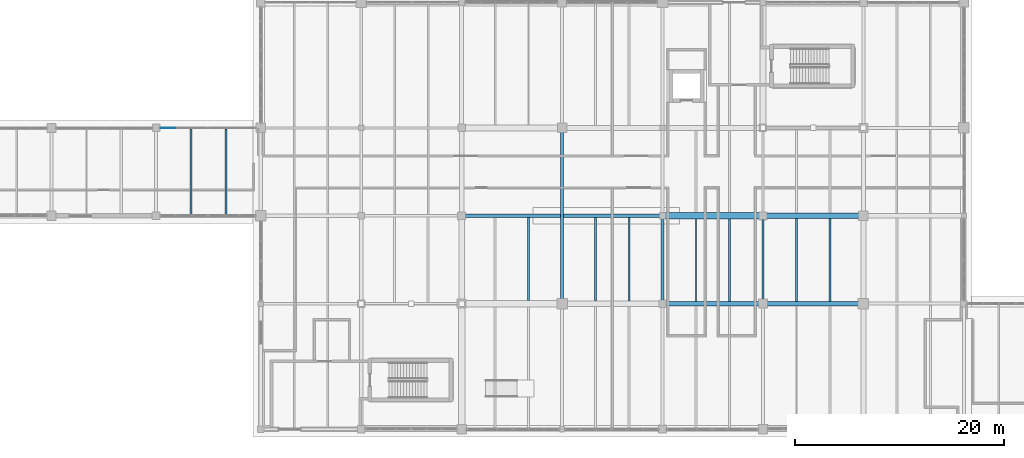
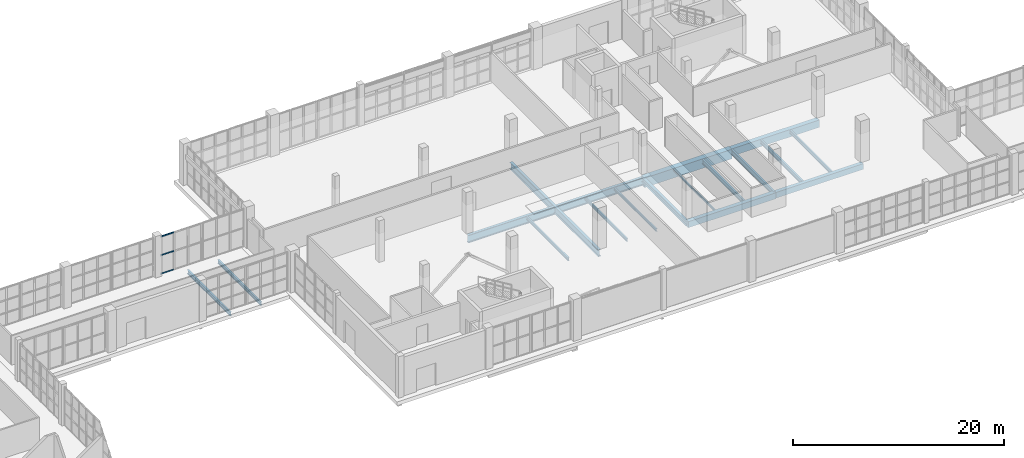
# One storey, part 21 of 121: 17 beams, 3 members, 1 element without a shape of its own.
"""IFC4 building model written with IfcOpenShell, lengths in metres."""

from ifc_helpers import new_model, si_unit, direction, frame, origin, origin_2d, place, context, subcontext, project, spatial, rectangle, i_section, extrude, material, layer, layer_set, material_profile, profile_set, type_object, element, aggregate, save


model = new_model("IFC4")

# Units and contexts
model_context = context("Model", 3, precision=1e-05, world=origin(), true_north=direction((0.0, 1.0)))
body_context = subcontext(model_context, "Body", "Model", "MODEL_VIEW")
ifc_project = project(units=[si_unit("LENGTHUNIT", "METRE"), si_unit("AREAUNIT", "SQUARE_METRE"), si_unit("VOLUMEUNIT", "CUBIC_METRE"), si_unit("PLANEANGLEUNIT", "RADIAN"), si_unit("MASSUNIT", "GRAM", prefix="KILO")], contexts=[model_context])

# Site, building, storey
site_placement = place(None, origin())
site = spatial("IfcSite", under=ifc_project, at=site_placement, CompositionType="ELEMENT")
building_placement = place(site_placement, origin())
building = spatial("IfcBuilding", under=site, at=building_placement, Name="Zereglee Splitstone Museum", CompositionType="ELEMENT")
storey_placement = place(building_placement, origin())
storey = spatial("IfcBuildingStorey", under=building, at=storey_placement, Name="L00", CompositionType="ELEMENT", Elevation=0.0)

# Beams
ifc_material_1 = material(Name="Concrete C40/50", Category="concrete")
ifc_material_profile_1 = material_profile(ifc_material_1, rectangle(XDim=0.39990234375, YDim=0.64990234375, at=origin_2d()), Name="RC 400x650")
ifc_profile_set_1 = profile_set([ifc_material_profile_1], Name="Concrete C40/50")
beam_type_1 = type_object("IfcBeamType", Name="BG-04", PredefinedType="BEAM", material=ifc_profile_set_1)
beam_1_placement = place(storey_placement, frame((126.0, 21.60009765625, -0.7451171875), z_axis=(1.0, 0.0, 0.0), x_axis=(0.0, 1.0, 0.0)))
element("IfcBeam", 1, at=beam_1_placement, inside=storey, type_object=beam_type_1, Name="Primary Girder L00 C (126.0-135.6)", PredefinedType="BEAM", context=body_context, shape_type="SweptSolid", body=[
    extrude(rectangle(XDim=0.39990234375, YDim=0.64990234375, at=origin_2d()), origin(), (0.0, 0.0, 1.0), 9.60009765625),
])
ifc_material_profile_2 = material_profile(ifc_material_1, rectangle(XDim=0.449951171875, YDim=0.699951171875, at=origin_2d()), Name="RC 450x700")
ifc_profile_set_2 = profile_set([ifc_material_profile_2], Name="Concrete C40/50")
beam_type_2 = type_object("IfcBeamType", Name="BG-03", PredefinedType="BEAM", material=ifc_profile_set_2)
beam_2_placement = place(storey_placement, frame((116.39990234375, 21.60009765625, -0.77001953125), z_axis=(1.0, 0.0, 0.0), x_axis=(0.0, 1.0, 0.0)))
element("IfcBeam", 2, at=beam_2_placement, inside=storey, type_object=beam_type_2, Name="Primary Girder L00 C (116.4-126.0)", PredefinedType="BEAM", context=body_context, shape_type="SweptSolid", body=[
    extrude(rectangle(XDim=0.449951171875, YDim=0.699951171875, at=origin_2d()), origin(), (0.0, 0.0, 1.0), 9.60009765625),
])
ifc_material_profile_3 = material_profile(ifc_material_1, rectangle(XDim=0.5, YDim=0.85009765625, at=origin_2d()), Name="RC 500x850")
ifc_profile_set_3 = profile_set([ifc_material_profile_3], Name="Concrete C40/50")
beam_type_3 = type_object("IfcBeamType", Name="BG-02", PredefinedType="BEAM", material=ifc_profile_set_3)
beam_3_placement = place(storey_placement, frame((126.0, 30.0, -0.844970703125), z_axis=(1.0, 0.0, 0.0), x_axis=(0.0, 1.0, 0.0)))
element("IfcBeam", 3, at=beam_3_placement, inside=storey, type_object=beam_type_3, Name="Primary Girder L00 D (126.0-135.6)", PredefinedType="BEAM", context=body_context, shape_type="SweptSolid", body=[
    extrude(rectangle(XDim=0.5, YDim=0.85009765625, at=origin_2d()), origin(), (0.0, 0.0, 1.0), 9.60009765625),
])
ifc_material_profile_4 = material_profile(ifc_material_1, rectangle(XDim=0.60009765625, YDim=1.10009765625, at=origin_2d()), Name="RC 600x1100")
ifc_profile_set_4 = profile_set([ifc_material_profile_4], Name="Concrete C40/50")
beam_type_4 = type_object("IfcBeamType", Name="BG-01", PredefinedType="BEAM", material=ifc_profile_set_4)
beam_4_placement = place(storey_placement, frame((116.39990234375, 30.0, -0.969970703125), z_axis=(1.0, 0.0, 0.0), x_axis=(0.0, 1.0, 0.0)))
element("IfcBeam", 4, at=beam_4_placement, inside=storey, type_object=beam_type_4, Name="Primary Girder L00 D (116.4-126.0)", PredefinedType="BEAM", context=body_context, shape_type="SweptSolid", body=[
    extrude(rectangle(XDim=0.60009765625, YDim=1.10009765625, at=origin_2d()), origin(), (0.0, 0.0, 1.0), 9.60009765625),
])

# Curtain wall, members
ifc_material_2 = material(Name="Triple-glazed low-E argon glass and bronze-anodised aluminium", Category="aluminium")
ifc_layer = layer(ifc_material_2, 0.179931640625)
ifc_layer_set = layer_set([ifc_layer], Name="Triple-glazed low-E argon glass and bronze-anodised aluminium")
curtain_wall_type = type_object("IfcCurtainWallType", Name="CW-0455-436", PredefinedType="USERDEFINED", material=ifc_layer_set)
curtain_wall_placement = place(storey_placement, origin())
curtain_wall = element("IfcCurtainWall", 5, at=curtain_wall_placement, inside=storey, type_object=curtain_wall_type, Name="Glazed Curtain Wall CW-0455-436 (L00)", ObjectType="GLAZED CURTAIN WALL", PredefinedType="USERDEFINED")
ifc_material_3 = material(Name="Thermally broken bronze-anodised aluminium", Category="aluminium")
ifc_material_profile_5 = material_profile(ifc_material_3, rectangle(XDim=0.06494140625, YDim=0.139892578125, at=origin_2d()), Name="CW TRAN 65x140")
ifc_profile_set_5 = profile_set([ifc_material_profile_5], Name="Thermally broken bronze-anodised aluminium")
member_type = type_object("IfcMemberType", Name="CWT-01", PredefinedType="USERDEFINED", material=ifc_profile_set_5)
member_1_placement = place(storey_placement, frame((69.8427734375, 38.39990234375, 0.032470703125), z_axis=(-1.0, 0.0, 0.0), x_axis=(0.0, -1.0, 0.0)))
member_1 = element("IfcMember", 6, at=member_1_placement, type_object=member_type, Name="CW-0455-436 transom 3.1", ObjectType="TRANSOM", PredefinedType="USERDEFINED", context=body_context, shape_type="SweptSolid", body=[
    extrude(rectangle(XDim=0.06494140625, YDim=0.139892578125, at=origin_2d()), origin(), (0.0, 0.0, 1.0), 1.419677734375),
])
member_2_placement = place(storey_placement, frame((69.8427734375, 38.39990234375, 2.179931640625), z_axis=(-1.0, 0.0, 0.0), x_axis=(0.0, -1.0, 0.0)))
member_2 = element("IfcMember", 7, at=member_2_placement, type_object=member_type, Name="CW-0455-436 transom 3.2", ObjectType="TRANSOM", PredefinedType="USERDEFINED", context=body_context, shape_type="SweptSolid", body=[
    extrude(rectangle(XDim=0.06494140625, YDim=0.139892578125, at=origin_2d()), origin(), (0.0, 0.0, 1.0), 1.419677734375),
])
member_3_placement = place(storey_placement, frame((69.8427734375, 38.39990234375, 4.327392578125), z_axis=(-1.0, 0.0, 0.0), x_axis=(0.0, -1.0, 0.0)))
member_3 = element("IfcMember", 8, at=member_3_placement, type_object=member_type, Name="CW-0455-436 transom 3.3", ObjectType="TRANSOM", PredefinedType="USERDEFINED", context=body_context, shape_type="SweptSolid", body=[
    extrude(rectangle(XDim=0.06494140625, YDim=0.139892578125, at=origin_2d()), origin(), (0.0, 0.0, 1.0), 1.419677734375),
])
aggregate(curtain_wall, [member_1, member_2, member_3])

# Beams
ifc_material_4 = material(Name="Steel S355J2", Category="steel")
ifc_material_profile_6 = material_profile(ifc_material_4, i_section(OverallWidth=0.300048828125, OverallDepth=0.550048828125, WebThickness=0.014892578125, FlangeThickness=0.029052734375, FilletRadius=0.027099609375, at=origin_2d()), Name="HE 550 B")
ifc_profile_set_6 = profile_set([ifc_material_profile_6], Name="Steel S355J2")
beam_type_5 = type_object("IfcBeamType", Name="BG-11", PredefinedType="BEAM", material=ifc_profile_set_6)
beam_5_placement = place(storey_placement, frame((116.39990234375, 21.60009765625, -0.695068359375), z_axis=(0.0, 1.0, 0.0), x_axis=(-1.0, 0.0, 0.0)))
element("IfcBeam", 9, at=beam_5_placement, inside=storey, type_object=beam_type_5, Name="Primary Girder L00 14 (21.6-30.0)", PredefinedType="BEAM", context=body_context, shape_type="SweptSolid", body=[
    extrude(i_section(OverallWidth=0.300048828125, OverallDepth=0.550048828125, WebThickness=0.014892578125, FlangeThickness=0.029052734375, FilletRadius=0.027099609375, at=origin_2d()), origin(), (0.0, 0.0, 1.0), 8.39990234375),
])
ifc_material_profile_7 = material_profile(ifc_material_4, i_section(OverallWidth=0.300048828125, OverallDepth=0.800048828125, WebThickness=0.017578125, FlangeThickness=0.032958984375, FilletRadius=0.030029296875, at=origin_2d()), Name="HE 800 B")
ifc_profile_set_7 = profile_set([ifc_material_profile_7], Name="Steel S355J2")
beam_type_6 = type_object("IfcBeamType", Name="BG-07", PredefinedType="BEAM", material=ifc_profile_set_7)
beam_6_placement = place(storey_placement, frame((106.800048828125, 21.60009765625, -0.820068359375), z_axis=(0.0, 1.0, 0.0), x_axis=(-1.0, 0.0, 0.0)))
element("IfcBeam", 10, at=beam_6_placement, inside=storey, type_object=beam_type_6, Name="Primary Girder L00 13 (21.6-38.4)", PredefinedType="BEAM", context=body_context, shape_type="SweptSolid", body=[
    extrude(i_section(OverallWidth=0.300048828125, OverallDepth=0.800048828125, WebThickness=0.017578125, FlangeThickness=0.032958984375, FilletRadius=0.030029296875, at=origin_2d()), origin(), (0.0, 0.0, 1.0), 16.7998046875),
])
ifc_material_profile_8 = material_profile(ifc_material_4, i_section(OverallWidth=0.300048828125, OverallDepth=0.89990234375, WebThickness=0.0185546875, FlangeThickness=0.034912109375, FilletRadius=0.030029296875, at=origin_2d()), Name="HE 900 B")
ifc_profile_set_8 = profile_set([ifc_material_profile_8], Name="Steel S355J2")
beam_type_7 = type_object("IfcBeamType", Name="BG-06", PredefinedType="BEAM", material=ifc_profile_set_8)
beam_7_placement = place(storey_placement, frame((97.199951171875, 30.0, -0.8701171875), z_axis=(1.0, 0.0, 0.0), x_axis=(0.0, 1.0, 0.0)))
element("IfcBeam", 11, at=beam_7_placement, inside=storey, type_object=beam_type_7, Name="Primary Girder L00 D (97.2-116.4)", PredefinedType="BEAM", context=body_context, shape_type="SweptSolid", body=[
    extrude(i_section(OverallWidth=0.300048828125, OverallDepth=0.89990234375, WebThickness=0.0185546875, FlangeThickness=0.034912109375, FilletRadius=0.030029296875, at=origin_2d()), origin(), (0.0, 0.0, 1.0), 19.199951171875),
])
ifc_material_profile_9 = material_profile(ifc_material_4, i_section(OverallWidth=0.2099609375, OverallDepth=0.550048828125, WebThickness=0.010986328125, FlangeThickness=0.01708984375, FilletRadius=0.02392578125, at=origin_2d()), Name="IPE 550")
ifc_profile_set_9 = profile_set([ifc_material_profile_9], Name="Steel S355J2")
beam_type_8 = type_object("IfcBeamType", Name="BG-16", PredefinedType="BEAM", material=ifc_profile_set_9)
beam_8_placement = place(storey_placement, frame((126.0, 21.60009765625, -0.695068359375), z_axis=(0.0, 1.0, 0.0), x_axis=(-1.0, 0.0, 0.0)))
element("IfcBeam", 12, at=beam_8_placement, inside=storey, type_object=beam_type_8, Name="Primary Girder L00 15 (21.6-30.0)", PredefinedType="BEAM", context=body_context, shape_type="SweptSolid", body=[
    extrude(i_section(OverallWidth=0.2099609375, OverallDepth=0.550048828125, WebThickness=0.010986328125, FlangeThickness=0.01708984375, FilletRadius=0.02392578125, at=origin_2d()), origin(), (0.0, 0.0, 1.0), 8.39990234375),
])
ifc_material_profile_10 = material_profile(ifc_material_4, i_section(OverallWidth=0.1201171875, OverallDepth=0.239990234375, WebThickness=0.006103515625, FlangeThickness=0.009765625, FilletRadius=0.014892578125, at=origin_2d()), Name="IPE 240")
ifc_profile_set_10 = profile_set([ifc_material_profile_10], Name="Steel S355J2")
beam_type_9 = type_object("IfcBeamType", Name="BJ-07", PredefinedType="JOIST", material=ifc_profile_set_10)
beam_9_placement = place(storey_placement, frame((119.60009765625, 21.824951171875, -0.5400390625), z_axis=(0.0, 1.0, 0.0), x_axis=(-1.0, 0.0, 0.0)))
element("IfcBeam", 13, at=beam_9_placement, inside=storey, type_object=beam_type_9, Name="Secondary Floor Joist L00-0321", PredefinedType="JOIST", context=body_context, shape_type="SweptSolid", body=[
    extrude(i_section(OverallWidth=0.1201171875, OverallDepth=0.239990234375, WebThickness=0.006103515625, FlangeThickness=0.009765625, FilletRadius=0.014892578125, at=origin_2d()), origin(), (0.0, 0.0, 1.0), 7.875),
])
ifc_material_profile_11 = material_profile(ifc_material_4, i_section(OverallWidth=0.14990234375, OverallDepth=0.300048828125, WebThickness=0.007080078125, FlangeThickness=0.0107421875, FilletRadius=0.014892578125, at=origin_2d()), Name="IPE 300")
ifc_profile_set_11 = profile_set([ifc_material_profile_11], Name="Steel S355J2")
beam_type_10 = type_object("IfcBeamType", Name="BJ-06", PredefinedType="JOIST", material=ifc_profile_set_11)
beam_10_placement = place(storey_placement, frame((113.199951171875, 21.85009765625, -0.570068359375), z_axis=(0.0, 1.0, 0.0), x_axis=(-1.0, 0.0, 0.0)))
element("IfcBeam", 14, at=beam_10_placement, inside=storey, type_object=beam_type_10, Name="Secondary Floor Joist L00-0320", PredefinedType="JOIST", context=body_context, shape_type="SweptSolid", body=[
    extrude(i_section(OverallWidth=0.14990234375, OverallDepth=0.300048828125, WebThickness=0.007080078125, FlangeThickness=0.0107421875, FilletRadius=0.014892578125, at=origin_2d()), origin(), (0.0, 0.0, 1.0), 8.0),
])
ifc_material_profile_12 = material_profile(ifc_material_4, i_section(OverallWidth=0.159912109375, OverallDepth=0.330078125, WebThickness=0.007568359375, FlangeThickness=0.011474609375, FilletRadius=0.01806640625, at=origin_2d()), Name="IPE 330")
ifc_profile_set_12 = profile_set([ifc_material_profile_12], Name="Steel S355J2")
beam_type_11 = type_object("IfcBeamType", Name="BJ-05", PredefinedType="JOIST", material=ifc_profile_set_12)
beam_11_placement = place(storey_placement, frame((110.0, 21.85009765625, -0.5849609375), z_axis=(0.0, 1.0, 0.0), x_axis=(-1.0, 0.0, 0.0)))
element("IfcBeam", 15, at=beam_11_placement, inside=storey, type_object=beam_type_11, Name="Secondary Floor Joist L00-0319", PredefinedType="JOIST", context=body_context, shape_type="SweptSolid", body=[
    extrude(i_section(OverallWidth=0.159912109375, OverallDepth=0.330078125, WebThickness=0.007568359375, FlangeThickness=0.011474609375, FilletRadius=0.01806640625, at=origin_2d()), origin(), (0.0, 0.0, 1.0), 8.0),
])
ifc_material_profile_13 = material_profile(ifc_material_4, i_section(OverallWidth=0.169921875, OverallDepth=0.360107421875, WebThickness=0.008056640625, FlangeThickness=0.0126953125, FilletRadius=0.01806640625, at=origin_2d()), Name="IPE 360")
ifc_profile_set_13 = profile_set([ifc_material_profile_13], Name="Steel S355J2")
beam_type_12 = type_object("IfcBeamType", Name="BJ-04", PredefinedType="JOIST", material=ifc_profile_set_13)
beam_12_placement = place(storey_placement, frame((103.60009765625, 21.89990234375, -0.60009765625), z_axis=(0.0, 1.0, 0.0), x_axis=(-1.0, 0.0, 0.0)))
element("IfcBeam", 16, at=beam_12_placement, inside=storey, type_object=beam_type_12, Name="Secondary Floor Joist L00-0318", PredefinedType="JOIST", context=body_context, shape_type="SweptSolid", body=[
    extrude(i_section(OverallWidth=0.169921875, OverallDepth=0.360107421875, WebThickness=0.008056640625, FlangeThickness=0.0126953125, FilletRadius=0.01806640625, at=origin_2d()), origin(), (0.0, 0.0, 1.0), 7.9501953125),
])
ifc_material_profile_14 = material_profile(ifc_material_4, i_section(OverallWidth=0.179931640625, OverallDepth=0.39990234375, WebThickness=0.008544921875, FlangeThickness=0.013427734375, FilletRadius=0.02099609375, at=origin_2d()), Name="IPE 400")
ifc_profile_set_14 = profile_set([ifc_material_profile_14], Name="Steel S355J2")
beam_type_13 = type_object("IfcBeamType", Name="BJ-03", PredefinedType="JOIST", material=ifc_profile_set_14)
beam_13_placement = place(storey_placement, frame((132.39990234375, 21.800048828125, -0.6201171875), z_axis=(0.0, 1.0, 0.0), x_axis=(-1.0, 0.0, 0.0)))
element("IfcBeam", 17, at=beam_13_placement, inside=storey, type_object=beam_type_13, Name="Secondary Floor Joist L00-0324", PredefinedType="JOIST", context=body_context, shape_type="SweptSolid", body=[
    extrude(i_section(OverallWidth=0.179931640625, OverallDepth=0.39990234375, WebThickness=0.008544921875, FlangeThickness=0.013427734375, FilletRadius=0.02099609375, at=origin_2d()), origin(), (0.0, 0.0, 1.0), 7.949951171875),
])
beam_14_placement = place(storey_placement, frame((74.666748046875, 30.139892578125, -0.6201171875), z_axis=(0.0, 1.0, 0.0), x_axis=(-1.0, 0.0, 0.0)))
element("IfcBeam", 18, at=beam_14_placement, inside=storey, type_object=beam_type_13, Name="Secondary Floor Joist L00-0352", PredefinedType="JOIST", context=body_context, shape_type="SweptSolid", body=[
    extrude(i_section(OverallWidth=0.179931640625, OverallDepth=0.39990234375, WebThickness=0.008544921875, FlangeThickness=0.013427734375, FilletRadius=0.02099609375, at=origin_2d()), origin(), (0.0, 0.0, 1.0), 8.16015625),
])
ifc_material_profile_15 = material_profile(ifc_material_4, i_section(OverallWidth=0.18994140625, OverallDepth=0.449951171875, WebThickness=0.009521484375, FlangeThickness=0.0146484375, FilletRadius=0.02099609375, at=origin_2d()), Name="IPE 450")
ifc_profile_set_15 = profile_set([ifc_material_profile_15], Name="Steel S355J2")
beam_type_14 = type_object("IfcBeamType", Name="BJ-02", PredefinedType="JOIST", material=ifc_profile_set_15)
beam_15_placement = place(storey_placement, frame((129.199951171875, 21.800048828125, -0.64501953125), z_axis=(0.0, 1.0, 0.0), x_axis=(-1.0, 0.0, 0.0)))
element("IfcBeam", 19, at=beam_15_placement, inside=storey, type_object=beam_type_14, Name="Secondary Floor Joist L00-0323", PredefinedType="JOIST", context=body_context, shape_type="SweptSolid", body=[
    extrude(i_section(OverallWidth=0.18994140625, OverallDepth=0.449951171875, WebThickness=0.009521484375, FlangeThickness=0.0146484375, FilletRadius=0.02099609375, at=origin_2d()), origin(), (0.0, 0.0, 1.0), 7.949951171875),
])
beam_16_placement = place(storey_placement, frame((71.333251953125, 30.139892578125, -0.64501953125), z_axis=(0.0, 1.0, 0.0), x_axis=(-1.0, 0.0, 0.0)))
element("IfcBeam", 20, at=beam_16_placement, inside=storey, type_object=beam_type_14, Name="Secondary Floor Joist L00-0351", PredefinedType="JOIST", context=body_context, shape_type="SweptSolid", body=[
    extrude(i_section(OverallWidth=0.18994140625, OverallDepth=0.449951171875, WebThickness=0.009521484375, FlangeThickness=0.0146484375, FilletRadius=0.02099609375, at=origin_2d()), origin(), (0.0, 0.0, 1.0), 8.16015625),
])
ifc_material_profile_16 = material_profile(ifc_material_4, i_section(OverallWidth=0.199951171875, OverallDepth=0.5, WebThickness=0.01025390625, FlangeThickness=0.01611328125, FilletRadius=0.02099609375, at=origin_2d()), Name="IPE 500")
ifc_profile_set_16 = profile_set([ifc_material_profile_16], Name="Steel S355J2")
beam_type_15 = type_object("IfcBeamType", Name="BJ-01", PredefinedType="JOIST", material=ifc_profile_set_16)
beam_17_placement = place(storey_placement, frame((122.800048828125, 21.824951171875, -0.669921875), z_axis=(0.0, 1.0, 0.0), x_axis=(-1.0, 0.0, 0.0)))
element("IfcBeam", 21, at=beam_17_placement, inside=storey, type_object=beam_type_15, Name="Secondary Floor Joist L00-0322", PredefinedType="JOIST", context=body_context, shape_type="SweptSolid", body=[
    extrude(i_section(OverallWidth=0.199951171875, OverallDepth=0.5, WebThickness=0.01025390625, FlangeThickness=0.01611328125, FilletRadius=0.02099609375, at=origin_2d()), origin(), (0.0, 0.0, 1.0), 7.875),
])

save(model, "model.ifc")
